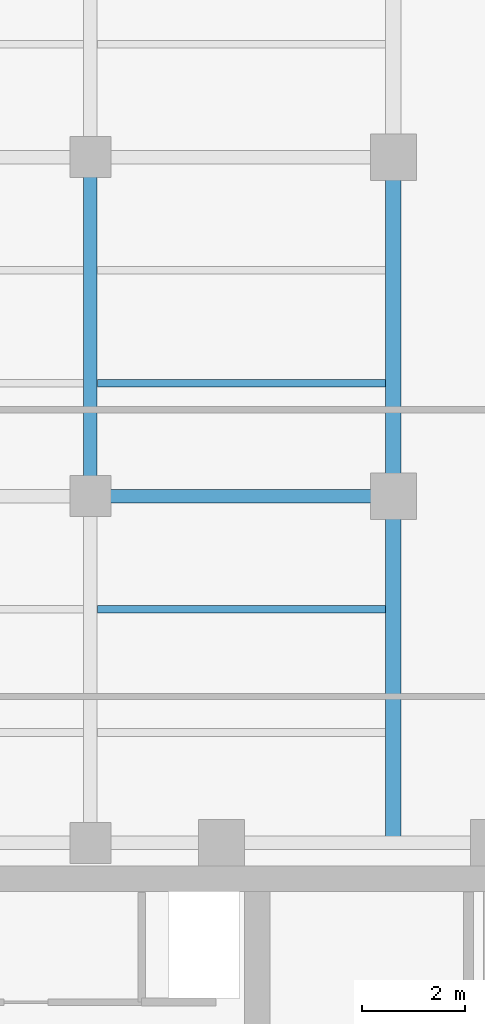
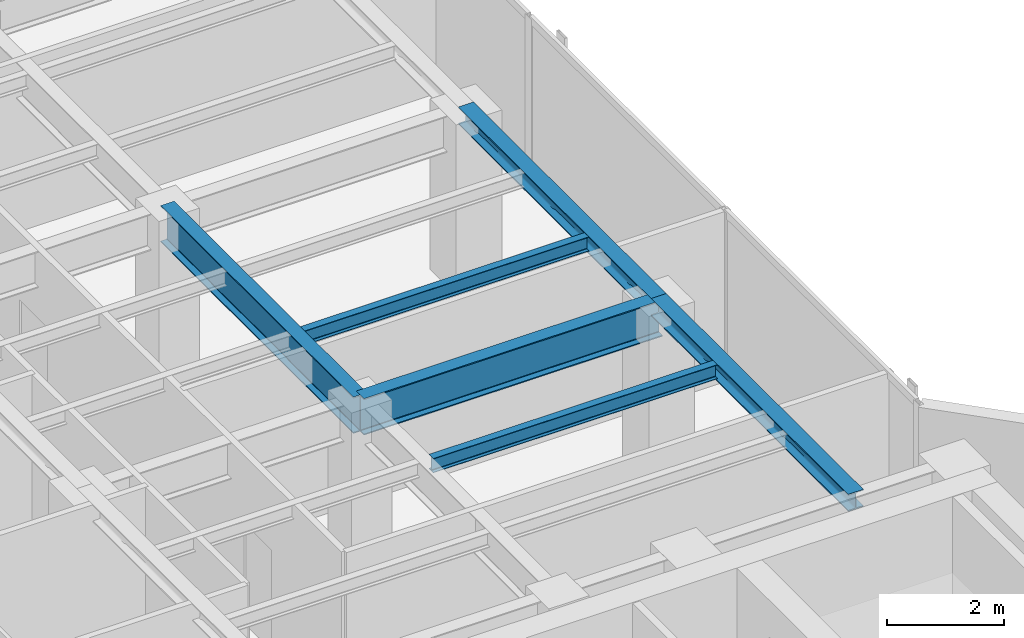
# One storey, part 9 of 24: 6 beams.
"""IFC4 building model written with IfcOpenShell, lengths in metres."""

from ifc_helpers import new_model, si_unit, direction, frame, origin, origin_2d, place, context, subcontext, project, spatial, i_section, extrude, material, material_profile, profile_set, type_object, element, save


model = new_model("IFC4")

# Units and contexts
model_context = context("Model", 3, precision=1e-05, world=origin(), true_north=direction((0.0, 1.0)))
body_context = subcontext(model_context, "Body", "Model", "MODEL_VIEW")
ifc_project = project(units=[si_unit("LENGTHUNIT", "METRE"), si_unit("AREAUNIT", "SQUARE_METRE"), si_unit("VOLUMEUNIT", "CUBIC_METRE"), si_unit("PLANEANGLEUNIT", "RADIAN"), si_unit("MASSUNIT", "GRAM", prefix="KILO")], contexts=[model_context])

# Site, building, storey
site_placement = place(None, origin())
site = spatial("IfcSite", under=ifc_project, at=site_placement, CompositionType="ELEMENT")
building_placement = place(site_placement, origin())
building = spatial("IfcBuilding", under=site, at=building_placement, Name="Kolvaren Waterfront Exchange", CompositionType="ELEMENT")
storey_placement = place(building_placement, frame((0.0, 0.0, 293.199951171875)))
storey = spatial("IfcBuildingStorey", under=building, at=storey_placement, Name="L75", CompositionType="ELEMENT", Elevation=293.199951171875)

# Beams
ifc_material = material(Name="Steel S355", Category="steel")
ifc_material_profile_1 = material_profile(ifc_material, i_section(OverallWidth=0.300048828125, OverallDepth=0.360107421875, WebThickness=0.012451171875, FlangeThickness=0.0224609375, FilletRadius=0.027099609375, at=origin_2d()), Name="HEB360")
ifc_profile_set_1 = profile_set([ifc_material_profile_1], Name="Steel S355")
beam_type_1 = type_object("IfcBeamType", Name="STR-BM-HEB360", PredefinedType="SPANDREL", material=ifc_profile_set_1)
beam_1_placement = place(storey_placement, frame((18.800048828125, 24.449951171875, 3.380126953125), z_axis=(0.0, 1.0, 0.0), x_axis=(-1.0, 0.0, 0.0)))
element("IfcBeam", 1, at=beam_1_placement, inside=storey, type_object=beam_type_1, Name="L75 north-arm edge beam 1", PredefinedType="SPANDREL", context=body_context, shape_type="SweptSolid", body=[
    extrude(i_section(OverallWidth=0.300048828125, OverallDepth=0.360107421875, WebThickness=0.012451171875, FlangeThickness=0.0224609375, FilletRadius=0.027099609375, at=origin_2d()), origin(), (0.0, 0.0, 1.0), 6.75),
])
beam_2_placement = place(storey_placement, frame((18.800048828125, 31.199951171875, 3.380126953125), z_axis=(0.0, 1.0, 0.0), x_axis=(-1.0, 0.0, 0.0)))
element("IfcBeam", 2, at=beam_2_placement, inside=storey, type_object=beam_type_1, Name="L75 north-arm edge beam 2", PredefinedType="SPANDREL", context=body_context, shape_type="SweptSolid", body=[
    extrude(i_section(OverallWidth=0.300048828125, OverallDepth=0.360107421875, WebThickness=0.012451171875, FlangeThickness=0.0224609375, FilletRadius=0.027099609375, at=origin_2d()), origin(), (0.0, 0.0, 1.0), 6.60009765625),
])
ifc_material_profile_2 = material_profile(ifc_material, i_section(OverallWidth=0.14990234375, OverallDepth=0.300048828125, WebThickness=0.007080078125, FlangeThickness=0.0107421875, FilletRadius=0.014892578125, at=origin_2d()), Name="IPE300")
ifc_profile_set_2 = profile_set([ifc_material_profile_2], Name="Steel S355")
beam_type_2 = type_object("IfcBeamType", Name="STR-BM-IPE300", PredefinedType="JOIST", material=ifc_profile_set_2)
for number, where, z_axis, x_axis, name in (
    (3, (13.035400390625, 29.0, 3.41015625), (1.0, 0.0, 0.0), (0.0, 1.0, 0.0), "L75 north-arm composite joist 2B"),
    (4, (13.035400390625, 33.39990234375, 3.41015625), (1.0, 0.0, 0.0), (0.0, 1.0, 0.0), "L75 north-arm composite joist 3B"),
):
    element("IfcBeam", number, at=place(storey_placement, frame(where, z_axis=z_axis, x_axis=x_axis)), inside=storey, type_object=beam_type_2, Name=name, PredefinedType="JOIST", context=body_context, shape_type="SweptSolid", body=[
        extrude(i_section(OverallWidth=0.14990234375, OverallDepth=0.300048828125, WebThickness=0.007080078125, FlangeThickness=0.0107421875, FilletRadius=0.014892578125, at=origin_2d()), origin(), (0.0, 0.0, 1.0), 5.612548828125),
    ])
ifc_material_profile_3 = material_profile(ifc_material, i_section(OverallWidth=0.26708984375, OverallDepth=0.761962890625, WebThickness=0.014404296875, FlangeThickness=0.021484375, FilletRadius=0.01708984375, at=origin_2d()), Name="IPE750x173")
ifc_profile_set_3 = profile_set([ifc_material_profile_3], Name="Steel S355")
beam_type_3 = type_object("IfcBeamType", Name="STR-BM-IPE750", PredefinedType="BEAM", material=ifc_profile_set_3)
beam_3_placement = place(storey_placement, frame((12.89990234375, 31.199951171875, 3.178955078125), z_axis=(1.0, 0.0, 0.0), x_axis=(0.0, 1.0, 0.0)))
element("IfcBeam", 5, at=beam_3_placement, inside=storey, type_object=beam_type_3, Name="L75 north-arm girder 2B", PredefinedType="BEAM", context=body_context, shape_type="SweptSolid", body=[
    extrude(i_section(OverallWidth=0.26708984375, OverallDepth=0.761962890625, WebThickness=0.014404296875, FlangeThickness=0.021484375, FilletRadius=0.01708984375, at=origin_2d()), origin(), (0.0, 0.0, 1.0), 5.900146484375),
])
beam_4_placement = place(storey_placement, frame((12.89990234375, 31.199951171875, 3.178955078125), z_axis=(0.0, 1.0, 0.0), x_axis=(-1.0, 0.0, 0.0)))
element("IfcBeam", 6, at=beam_4_placement, inside=storey, type_object=beam_type_3, Name="L75 north-arm edge beam 2", PredefinedType="BEAM", context=body_context, shape_type="SweptSolid", body=[
    extrude(i_section(OverallWidth=0.26708984375, OverallDepth=0.761962890625, WebThickness=0.014404296875, FlangeThickness=0.021484375, FilletRadius=0.01708984375, at=origin_2d()), origin(), (0.0, 0.0, 1.0), 6.60009765625),
])

save(model, "model.ifc")
